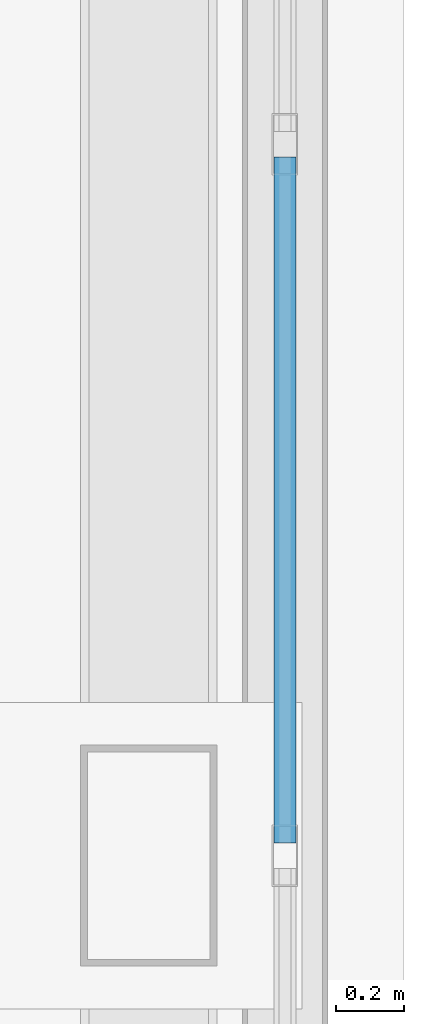
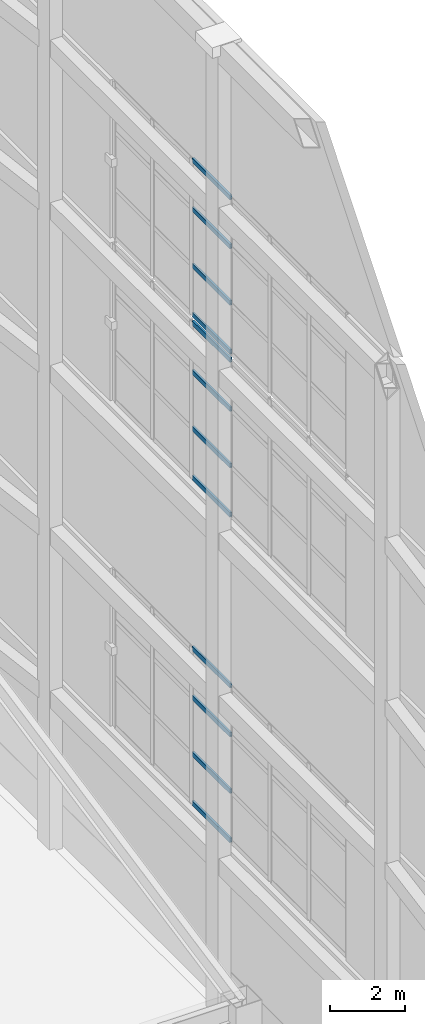
# One storey, part 34 of 47: 12 members, 3 elements without a shape of their own.
"""IFC4 building model written with IfcOpenShell, lengths in metres."""

from ifc_helpers import new_model, si_unit, direction, frame, origin, origin_2d, place, context, subcontext, project, spatial, hollow_rectangle, extrude, material, layer, layer_set, material_profile, profile_set, type_object, element, aggregate, save


model = new_model("IFC4")

# Units and contexts
model_context = context("Model", 3, precision=1e-05, world=origin(), true_north=direction((0.0, 1.0)))
body_context = subcontext(model_context, "Body", "Model", "MODEL_VIEW")
ifc_project = project(units=[si_unit("LENGTHUNIT", "METRE"), si_unit("AREAUNIT", "SQUARE_METRE"), si_unit("VOLUMEUNIT", "CUBIC_METRE"), si_unit("PLANEANGLEUNIT", "RADIAN"), si_unit("MASSUNIT", "GRAM", prefix="KILO")], contexts=[model_context])

# Site, building, storey
site_placement = place(None, origin())
site = spatial("IfcSite", under=ifc_project, at=site_placement, CompositionType="ELEMENT")
building_placement = place(site_placement, origin())
building = spatial("IfcBuilding", under=site, at=building_placement, Name="Qiaolan Cultural Towers", CompositionType="ELEMENT")
storey_placement = place(building_placement, frame((0.0, 0.0, 280.199951171875)))
storey = spatial("IfcBuildingStorey", under=building, at=storey_placement, Name="RF", CompositionType="ELEMENT", Elevation=280.199951171875)

# Curtain wall, members
ifc_material_1 = material(Name="Unitized Anodized Aluminium Curtain Wall System", Category="aluminium")
ifc_layer = layer(ifc_material_1, 0.199951171875)
ifc_layer_set = layer_set([ifc_layer], Name="Unitized Anodized Aluminium Curtain Wall System")
curtain_wall_type = type_object("IfcCurtainWallType", Name="CWS-06", PredefinedType="NOTDEFINED", material=ifc_layer_set)
curtain_wall_1_placement = place(storey_placement, origin())
curtain_wall_1 = element("IfcCurtainWall", 1, at=curtain_wall_1_placement, inside=storey, type_object=curtain_wall_type, Name="T1 Crown Tier 2 Fritted Screen Curtain Wall 3", PredefinedType="NOTDEFINED")
ifc_material_2 = material(Name="Extruded Aluminium 6063-T6", Category="aluminium")
ifc_material_profile = material_profile(ifc_material_2, hollow_rectangle(XDim=0.06494140625, YDim=0.14990234375, WallThickness=0.00390625, at=origin_2d()), Name="CWT-150x65x4")
ifc_profile_set = profile_set([ifc_material_profile], Name="Extruded Aluminium 6063-T6")
member_type = type_object("IfcMemberType", Name="CWS-06-TRN", PredefinedType="USERDEFINED", material=ifc_profile_set)
member_1_placement = place(storey_placement, frame((45.050048828125, 34.03759765625, 5.4326171875), z_axis=(0.0, 1.0, 0.0), x_axis=(-1.0, 0.0, 0.0)))
member_1 = element("IfcMember", 2, at=member_1_placement, type_object=member_type, Name="CW-6 transom 4.1", ObjectType="TRANSOM", PredefinedType="USERDEFINED", context=body_context, shape_type="SweptSolid", body=[
    extrude(hollow_rectangle(XDim=0.06494140625, YDim=0.14990234375, WallThickness=0.00390625, at=origin_2d()), origin(), (0.0, 0.0, 1.0), 2.014892578125),
])
member_2_placement = place(storey_placement, frame((45.050048828125, 34.03759765625, 7.030029296875), z_axis=(0.0, 1.0, 0.0), x_axis=(-1.0, 0.0, 0.0)))
member_2 = element("IfcMember", 3, at=member_2_placement, type_object=member_type, Name="CW-6 transom 4.2", ObjectType="TRANSOM", PredefinedType="USERDEFINED", context=body_context, shape_type="SweptSolid", body=[
    extrude(hollow_rectangle(XDim=0.06494140625, YDim=0.14990234375, WallThickness=0.00390625, at=origin_2d()), origin(), (0.0, 0.0, 1.0), 2.014892578125),
])
member_3_placement = place(storey_placement, frame((45.050048828125, 34.03759765625, 8.8701171875), z_axis=(0.0, 1.0, 0.0), x_axis=(-1.0, 0.0, 0.0)))
member_3 = element("IfcMember", 4, at=member_3_placement, type_object=member_type, Name="CW-6 transom 4.3", ObjectType="TRANSOM", PredefinedType="USERDEFINED", context=body_context, shape_type="SweptSolid", body=[
    extrude(hollow_rectangle(XDim=0.06494140625, YDim=0.14990234375, WallThickness=0.00390625, at=origin_2d()), origin(), (0.0, 0.0, 1.0), 2.014892578125),
])
member_4_placement = place(storey_placement, frame((45.050048828125, 34.03759765625, 10.467529296875), z_axis=(0.0, 1.0, 0.0), x_axis=(-1.0, 0.0, 0.0)))
member_4 = element("IfcMember", 5, at=member_4_placement, type_object=member_type, Name="CW-6 transom 4.4", ObjectType="TRANSOM", PredefinedType="USERDEFINED", context=body_context, shape_type="SweptSolid", body=[
    extrude(hollow_rectangle(XDim=0.06494140625, YDim=0.14990234375, WallThickness=0.00390625, at=origin_2d()), origin(), (0.0, 0.0, 1.0), 2.014892578125),
])
aggregate(curtain_wall_1, [member_1, member_2, member_3, member_4])

curtain_wall_2_placement = place(storey_placement, origin())
curtain_wall_2 = element("IfcCurtainWall", 6, at=curtain_wall_2_placement, inside=storey, type_object=curtain_wall_type, Name="T1 Crown Tier 4 Fritted Screen Curtain Wall 3", PredefinedType="NOTDEFINED")
member_5_placement = place(storey_placement, frame((45.050048828125, 34.03759765625, 16.032470703125), z_axis=(0.0, 1.0, 0.0), x_axis=(-1.0, 0.0, 0.0)))
member_5 = element("IfcMember", 7, at=member_5_placement, type_object=member_type, Name="CW-6 transom 4.1", ObjectType="TRANSOM", PredefinedType="USERDEFINED", context=body_context, shape_type="SweptSolid", body=[
    extrude(hollow_rectangle(XDim=0.06494140625, YDim=0.14990234375, WallThickness=0.00390625, at=origin_2d()), origin(), (0.0, 0.0, 1.0), 2.014892578125),
])
member_6_placement = place(storey_placement, frame((45.050048828125, 34.03759765625, 17.630126953125), z_axis=(0.0, 1.0, 0.0), x_axis=(-1.0, 0.0, 0.0)))
member_6 = element("IfcMember", 8, at=member_6_placement, type_object=member_type, Name="CW-6 transom 4.2", ObjectType="TRANSOM", PredefinedType="USERDEFINED", context=body_context, shape_type="SweptSolid", body=[
    extrude(hollow_rectangle(XDim=0.06494140625, YDim=0.14990234375, WallThickness=0.00390625, at=origin_2d()), origin(), (0.0, 0.0, 1.0), 2.014892578125),
])
member_7_placement = place(storey_placement, frame((45.050048828125, 34.03759765625, 19.469970703125), z_axis=(0.0, 1.0, 0.0), x_axis=(-1.0, 0.0, 0.0)))
member_7 = element("IfcMember", 9, at=member_7_placement, type_object=member_type, Name="CW-6 transom 4.3", ObjectType="TRANSOM", PredefinedType="USERDEFINED", context=body_context, shape_type="SweptSolid", body=[
    extrude(hollow_rectangle(XDim=0.06494140625, YDim=0.14990234375, WallThickness=0.00390625, at=origin_2d()), origin(), (0.0, 0.0, 1.0), 2.014892578125),
])
member_8_placement = place(storey_placement, frame((45.050048828125, 34.03759765625, 21.067626953125), z_axis=(0.0, 1.0, 0.0), x_axis=(-1.0, 0.0, 0.0)))
member_8 = element("IfcMember", 10, at=member_8_placement, type_object=member_type, Name="CW-6 transom 4.4", ObjectType="TRANSOM", PredefinedType="USERDEFINED", context=body_context, shape_type="SweptSolid", body=[
    extrude(hollow_rectangle(XDim=0.06494140625, YDim=0.14990234375, WallThickness=0.00390625, at=origin_2d()), origin(), (0.0, 0.0, 1.0), 2.014892578125),
])
aggregate(curtain_wall_2, [member_5, member_6, member_7, member_8])

curtain_wall_3_placement = place(storey_placement, origin())
curtain_wall_3 = element("IfcCurtainWall", 11, at=curtain_wall_3_placement, inside=storey, type_object=curtain_wall_type, Name="T1 Crown Tier 5 Fritted Screen Curtain Wall 3", PredefinedType="NOTDEFINED")
member_9_placement = place(storey_placement, frame((45.050048828125, 34.03759765625, 21.33251953125), z_axis=(0.0, 1.0, 0.0), x_axis=(-1.0, 0.0, 0.0)))
member_9 = element("IfcMember", 12, at=member_9_placement, type_object=member_type, Name="CW-6 transom 4.1", ObjectType="TRANSOM", PredefinedType="USERDEFINED", context=body_context, shape_type="SweptSolid", body=[
    extrude(hollow_rectangle(XDim=0.06494140625, YDim=0.14990234375, WallThickness=0.00390625, at=origin_2d()), origin(), (0.0, 0.0, 1.0), 2.014892578125),
])
member_10_placement = place(storey_placement, frame((45.050048828125, 34.03759765625, 22.929931640625), z_axis=(0.0, 1.0, 0.0), x_axis=(-1.0, 0.0, 0.0)))
member_10 = element("IfcMember", 13, at=member_10_placement, type_object=member_type, Name="CW-6 transom 4.2", ObjectType="TRANSOM", PredefinedType="USERDEFINED", context=body_context, shape_type="SweptSolid", body=[
    extrude(hollow_rectangle(XDim=0.06494140625, YDim=0.14990234375, WallThickness=0.00390625, at=origin_2d()), origin(), (0.0, 0.0, 1.0), 2.014892578125),
])
member_11_placement = place(storey_placement, frame((45.050048828125, 34.03759765625, 24.77001953125), z_axis=(0.0, 1.0, 0.0), x_axis=(-1.0, 0.0, 0.0)))
member_11 = element("IfcMember", 14, at=member_11_placement, type_object=member_type, Name="CW-6 transom 4.3", ObjectType="TRANSOM", PredefinedType="USERDEFINED", context=body_context, shape_type="SweptSolid", body=[
    extrude(hollow_rectangle(XDim=0.06494140625, YDim=0.14990234375, WallThickness=0.00390625, at=origin_2d()), origin(), (0.0, 0.0, 1.0), 2.014892578125),
])
member_12_placement = place(storey_placement, frame((45.050048828125, 34.03759765625, 26.367431640625), z_axis=(0.0, 1.0, 0.0), x_axis=(-1.0, 0.0, 0.0)))
member_12 = element("IfcMember", 15, at=member_12_placement, type_object=member_type, Name="CW-6 transom 4.4", ObjectType="TRANSOM", PredefinedType="USERDEFINED", context=body_context, shape_type="SweptSolid", body=[
    extrude(hollow_rectangle(XDim=0.06494140625, YDim=0.14990234375, WallThickness=0.00390625, at=origin_2d()), origin(), (0.0, 0.0, 1.0), 2.014892578125),
])
aggregate(curtain_wall_3, [member_9, member_10, member_11, member_12])

save(model, "model.ifc")
